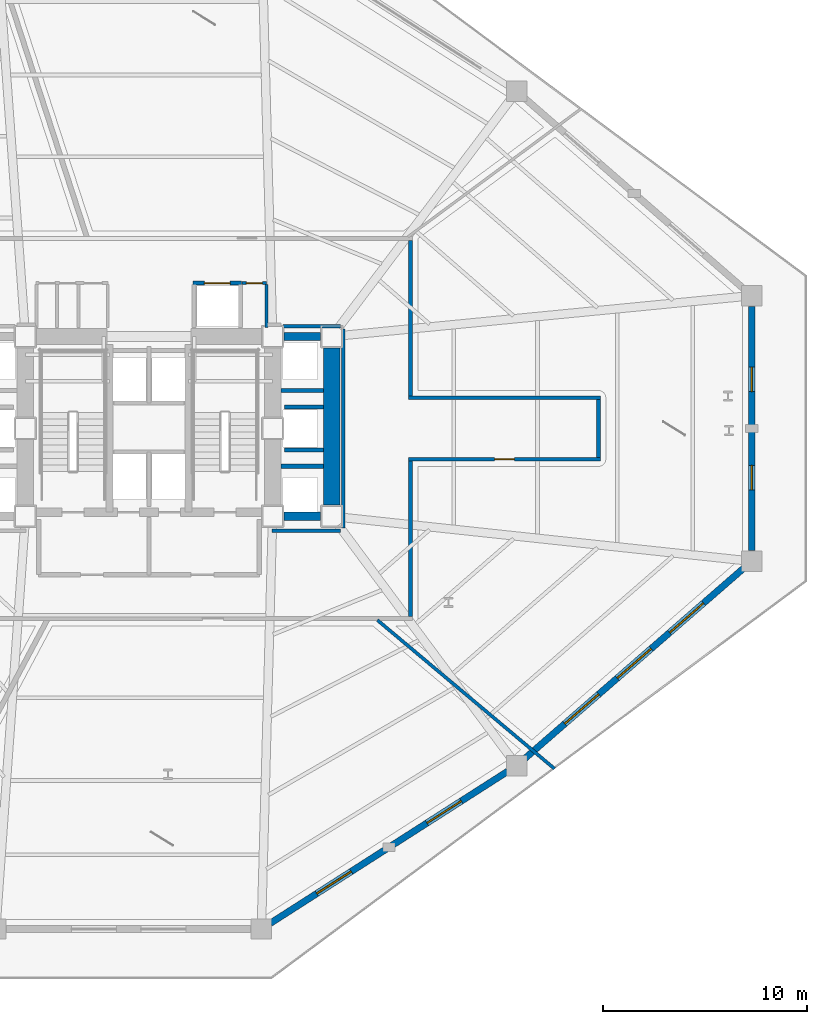
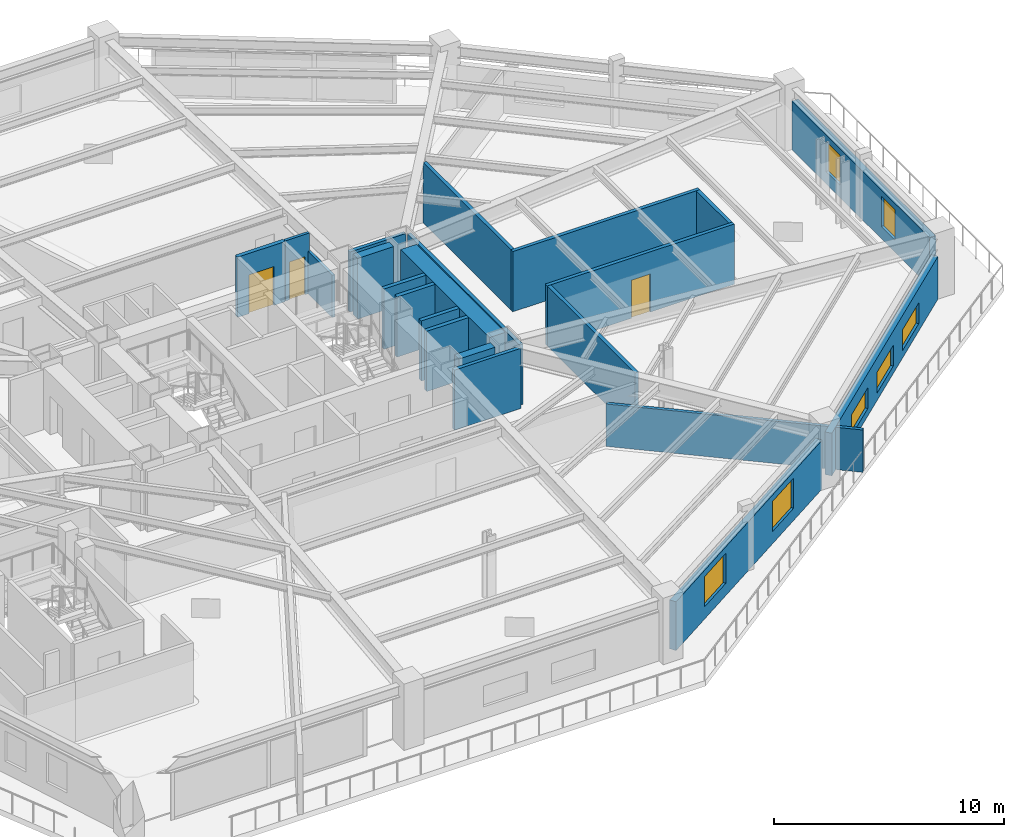
# One storey, part 7 of 12: 22 walls, 7 windows, 3 doors, 10 openings.
"""IFC4 building model written with IfcOpenShell, lengths in metres."""

from ifc_helpers import new_model, si_unit, direction, frame, frame_2d, origin, place, context, subcontext, project, spatial, rectangle, extrude, material, layer, layer_set, type_object, element, fill, save


model = new_model("IFC4")

# Units and contexts
model_context = context("Model", 3, precision=1e-05, world=origin(), true_north=direction((0.0, 1.0)))
body_context = subcontext(model_context, "Body", "Model", "MODEL_VIEW")
ifc_project = project(units=[si_unit("LENGTHUNIT", "METRE"), si_unit("AREAUNIT", "SQUARE_METRE"), si_unit("VOLUMEUNIT", "CUBIC_METRE"), si_unit("PLANEANGLEUNIT", "RADIAN"), si_unit("MASSUNIT", "GRAM", prefix="KILO")], contexts=[model_context])

# Site, building, storey
site_placement = place(None, origin())
site = spatial("IfcSite", under=ifc_project, at=site_placement, CompositionType="ELEMENT")
building_placement = place(site_placement, origin())
building = spatial("IfcBuilding", under=site, at=building_placement, Name="Rocaltana Carrier Exchange", CompositionType="ELEMENT")
storey_placement = place(building_placement, frame((0.0, 0.0, 8.320068359375)))
storey = spatial("IfcBuildingStorey", under=building, at=storey_placement, Name="L03", CompositionType="ELEMENT", Elevation=8.320068359375)

# Walls
ifc_material_1 = material(Name="Double Acoustic Gypsum Partition", Category="gypsum")
ifc_layer_1 = layer(ifc_material_1, 0.159912109375)
ifc_layer_set_1 = layer_set([ifc_layer_1], Name="Double Acoustic Gypsum Partition")
wall_type_1 = type_object("IfcWallType", Name="Acoustic Studio Partition 160 EI60", PredefinedType="PARTITIONING", material=ifc_layer_set_1)
wall_1_placement = place(storey_placement, frame((11.1787109375, -9.3798828125, 0.0), z_axis=(0.0, 0.0, 1.0), x_axis=(0.766037025887, -0.642796449095, 0.0)))
element("IfcWall", 1, at=wall_1_placement, inside=storey, type_object=wall_type_1, Name="L03 Suite Divider Wall D2", PredefinedType="PARTITIONING", context=body_context, shape_type="SweptSolid", body=[
    extrude(rectangle(XDim=11.319580078125, YDim=0.159912109375, at=frame_2d((5.65966796875, 0.0))), origin(), (0.0, 0.0, 1.0), 2.245849609375),
])
ifc_material_2 = material(Name="Concrete C50/60", Category="concrete")
ifc_layer_2 = layer(ifc_material_2, 0.39990234375)
ifc_layer_set_2 = layer_set([ifc_layer_2], Name="Concrete C50/60")
wall_type_2 = type_object("IfcWallType", Name="Core Internal Shear Wall 400", PredefinedType="SHEAR", material=ifc_layer_set_2)
for number, where, z_axis, x_axis, name in (
    (2, (6.60009765625, 4.5, 0.0), (0.0, 0.0, 1.0), (1.0, 0.0, 0.0), "L03 Core Shear Wall CW-EWN"),
    (3, (6.60009765625, -4.300048828125, 0.0), (0.0, 0.0, 1.0), (1.0, 0.0, 0.0), "L03 Core Shear Wall CW-EWS"),
):
    element("IfcWall", number, at=place(storey_placement, frame(where, z_axis=z_axis, x_axis=x_axis)), inside=storey, type_object=wall_type_2, Name=name, PredefinedType="SHEAR", context=body_context, shape_type="SweptSolid", body=[
        extrude(rectangle(XDim=1.7998046875, YDim=0.39990234375, at=frame_2d((0.89990234375, 0.0))), origin(), (0.0, 0.0, 1.0), 3.218017578125),
    ])
ifc_material_3 = material(Name="Concrete C60/75", Category="concrete")
ifc_layer_3 = layer(ifc_material_3, 0.800048828125)
ifc_layer_set_3 = layer_set([ifc_layer_3], Name="Concrete C60/75")
wall_type_3 = type_object("IfcWallType", Name="Core Shear Wall 800", PredefinedType="SHEAR", material=ifc_layer_set_3)
wall_2_placement = place(storey_placement, frame((8.949951171875, -3.75, 0.0), z_axis=(0.0, 0.0, 1.0), x_axis=(0.0, 1.0, 0.0)))
element("IfcWall", 4, at=wall_2_placement, inside=storey, type_object=wall_type_3, Name="L03 Core Shear Wall CW-EW", PredefinedType="SHEAR", context=body_context, shape_type="SweptSolid", body=[
    extrude(rectangle(XDim=7.699951171875, YDim=0.800048828125, at=frame_2d((3.85009765625, 0.0))), origin(), (0.0, 0.0, 1.0), 3.218017578125),
])
ifc_material_4 = material(Name="Gypsum & Steel Stud Partition", Category="steel")
ifc_layer_4 = layer(ifc_material_4, 0.179931640625)
ifc_layer_set_4 = layer_set([ifc_layer_4], Name="Gypsum & Steel Stud Partition")
wall_type_4 = type_object("IfcWallType", Name="Corridor Fire Partition 180 EI60", PredefinedType="PARTITIONING", material=ifc_layer_set_4)
wall_3_placement = place(storey_placement, frame((12.800048828125, 9.2099609375, 0.0), z_axis=(0.0, 0.0, 1.0), x_axis=(0.0, -1.0, 0.0)))
element("IfcWall", 5, at=wall_3_placement, inside=storey, type_object=wall_type_4, Name="L03 Corridor Partition 9", PredefinedType="PARTITIONING", context=body_context, shape_type="SweptSolid", body=[
    extrude(rectangle(XDim=7.619873046875, YDim=0.179931640625, at=frame_2d((3.81005859375, 0.0))), origin(), (0.0, 0.0, 1.0), 3.19287109375),
])
wall_4_placement = place(storey_placement, frame((12.7099609375, 1.5, 0.0), z_axis=(0.0, 0.0, 1.0), x_axis=(1.0, 0.0, 0.0)))
element("IfcWall", 6, at=wall_4_placement, inside=storey, type_object=wall_type_4, Name="L03 Corridor Partition 10", PredefinedType="PARTITIONING", context=body_context, shape_type="SweptSolid", body=[
    extrude(rectangle(XDim=9.380126953125, YDim=0.179931640625, at=frame_2d((4.68994140625, 0.0))), origin(), (0.0, 0.0, 1.0), 3.19287109375),
])
wall_5_placement = place(storey_placement, frame((22.0, 1.409912109375, 0.0), z_axis=(0.0, 0.0, 1.0), x_axis=(0.0, -1.0, 0.0)))
element("IfcWall", 7, at=wall_5_placement, inside=storey, type_object=wall_type_4, Name="L03 Corridor Partition 11", PredefinedType="PARTITIONING", context=body_context, shape_type="SweptSolid", body=[
    extrude(rectangle(XDim=2.81982421875, YDim=0.179931640625, at=frame_2d((1.409912109375, 0.0))), origin(), (0.0, 0.0, 1.0), 3.19287109375),
])

# Wall, opening, door
wall_6_placement = place(storey_placement, frame((22.090087890625, -1.5, 0.0), z_axis=(0.0, 0.0, 1.0), x_axis=(-1.0, 0.0, 0.0)))
wall_6 = element("IfcWall", 8, at=wall_6_placement, inside=storey, type_object=wall_type_4, Name="L03 Corridor Partition 12", PredefinedType="PARTITIONING", context=body_context, shape_type="SweptSolid", body=[
    extrude(rectangle(XDim=9.380126953125, YDim=0.179931640625, at=frame_2d((4.68994140625, 0.0))), origin(), (0.0, 0.0, 1.0), 3.19287109375),
])
opening_1_placement = place(wall_6_placement, frame((4.2099609375, 0.0, 0.0)))
opening_1 = element("IfcOpeningElement", 9, at=opening_1_placement, cuts=wall_6, Name="Opening D-RM098", PredefinedType="OPENING", context=body_context, shape_type="SweptSolid", body=[
    extrude(rectangle(XDim=0.9599609375, YDim=2.02001953125, at=frame_2d((0.47998046875, 1.010009765625))), frame((0.0, 0.099853515625, 0.0), z_axis=(0.0, -1.0, 0.0), x_axis=(1.0, 0.0, 0.0)), (0.0, 0.0, 1.0), 0.199951171875),
])
ifc_material_5 = material(Name="Engineered Hardwood Timber", Category="wood")
door_type_1 = type_object("IfcDoorType", Name="Workspace Single Door 960x2020", OperationType="NOTDEFINED", PredefinedType="DOOR", material=ifc_material_5)
door_1_placement = place(opening_1_placement, origin())
door_1 = element("IfcDoor", 10, at=door_1_placement, inside=storey, type_object=door_type_1, Name="L03 Network Engineering Studio Entrance Door", OperationType="SINGLE_SWING_LEFT", OverallHeight=2.02001953125, OverallWidth=0.9599609375, PredefinedType="DOOR", context=body_context, shape_type="SweptSolid", body=[
    extrude(rectangle(XDim=0.9599609375, YDim=2.02001953125, at=frame_2d((0.47998046875, 1.010009765625))), frame((0.0, 0.02490234375, 0.0), z_axis=(0.0, -1.0, 0.0), x_axis=(1.0, 0.0, 0.0)), (0.0, 0.0, 1.0), 0.050048828125),
])
fill(opening_1, door_1)

# Walls
wall_7_placement = place(storey_placement, frame((12.800048828125, -1.590087890625, 0.0), z_axis=(0.0, 0.0, 1.0), x_axis=(0.0, -1.0, 0.0)))
element("IfcWall", 11, at=wall_7_placement, inside=storey, type_object=wall_type_4, Name="L03 Corridor Partition 13", PredefinedType="PARTITIONING", context=body_context, shape_type="SweptSolid", body=[
    extrude(rectangle(XDim=7.619873046875, YDim=0.179931640625, at=frame_2d((3.81005859375, 0.0))), origin(), (0.0, 0.0, 1.0), 3.19287109375),
])
wall_8_placement = place(storey_placement, frame((6.030029296875, -5.010009765625, 0.0), z_axis=(0.0, 0.0, 1.0), x_axis=(1.0, 0.0, 0.0)))
element("IfcWall", 12, at=wall_8_placement, inside=storey, type_object=wall_type_4, Name="L03 Corridor Partition 26", PredefinedType="PARTITIONING", context=body_context, shape_type="SweptSolid", body=[
    extrude(rectangle(XDim=3.340087890625, YDim=0.179931640625, at=frame_2d((1.669921875, 0.0))), origin(), (0.0, 0.0, 1.0), 3.19287109375),
])
wall_9_placement = place(storey_placement, frame((9.510009765625, -4.8701171875, 0.0), z_axis=(0.0, 0.0, 1.0), x_axis=(0.0, 1.0, 0.0)))
element("IfcWall", 13, at=wall_9_placement, inside=storey, type_object=wall_type_4, Name="L03 Corridor Partition 27", PredefinedType="PARTITIONING", context=body_context, shape_type="SweptSolid", body=[
    extrude(rectangle(XDim=9.740234375, YDim=0.179931640625, at=frame_2d((4.8701171875, 0.0))), origin(), (0.0, 0.0, 1.0), 3.19287109375),
])
wall_10_placement = place(storey_placement, frame((9.3701171875, 5.010009765625, 0.0), z_axis=(0.0, 0.0, 1.0), x_axis=(-1.0, 0.0, 0.0)))
element("IfcWall", 14, at=wall_10_placement, inside=storey, type_object=wall_type_4, Name="L03 Corridor Partition 28", PredefinedType="PARTITIONING", context=body_context, shape_type="SweptSolid", body=[
    extrude(rectangle(XDim=2.807861328125, YDim=0.179931640625, at=frame_2d((1.40380859375, 0.0))), origin(), (0.0, 0.0, 1.0), 3.19287109375),
])

# Wall, opening, door
ifc_material_6 = material(Name="Reinforced Concrete Block C35/45", Category="concrete")
ifc_layer_5 = layer(ifc_material_6, 0.199951171875)
ifc_layer_set_5 = layer_set([ifc_layer_5], Name="Reinforced Concrete Block C35/45")
wall_type_5 = type_object("IfcWallType", Name="Lift Hoistway Enclosure Wall 200 EI120", PredefinedType="PARTITIONING", material=ifc_layer_set_5)
wall_11_placement = place(storey_placement, frame((2.14990234375, 7.1201171875, 0.0), z_axis=(0.0, 0.0, 1.0), x_axis=(1.0, 0.0, 0.0)))
wall_11 = element("IfcWall", 15, at=wall_11_placement, inside=storey, type_object=wall_type_5, Name="L03 Goods Lift Front Wall", PredefinedType="PARTITIONING", context=body_context, shape_type="SweptSolid", body=[
    extrude(rectangle(XDim=2.380126953125, YDim=0.199951171875, at=frame_2d((1.18994140625, 0.0))), origin(), (0.0, 0.0, 1.0), 3.19287109375),
])
opening_2_placement = place(wall_11_placement, frame((0.56005859375, 0.0, 0.0)))
opening_2 = element("IfcOpeningElement", 16, at=opening_2_placement, cuts=wall_11, Name="Opening LD-130", PredefinedType="OPENING", context=body_context, shape_type="SweptSolid", body=[
    extrude(rectangle(XDim=1.260009765625, YDim=2.06005859375, at=frame_2d((0.6298828125, 1.030029296875))), frame((0.0, 0.10986328125, 0.0), z_axis=(0.0, -1.0, 0.0), x_axis=(1.0, 0.0, 0.0)), (0.0, 0.0, 1.0), 0.219970703125),
])
ifc_material_7 = material(Name="Brushed Stainless Sliding Door Leaf", Category="steel")
door_type_2 = type_object("IfcDoorType", Name="Goods Lift Landing Sliding Door 1260x2060", OperationType="NOTDEFINED", PredefinedType="DOOR", material=ifc_material_7)
door_2_placement = place(opening_2_placement, origin())
door_2 = element("IfcDoor", 17, at=door_2_placement, inside=storey, type_object=door_type_2, Name="L03 Goods Lift GL-1 Landing Door", OperationType="SLIDING_TO_LEFT", OverallHeight=2.06005859375, OverallWidth=1.260009765625, PredefinedType="DOOR", context=body_context, shape_type="SweptSolid", body=[
    extrude(rectangle(XDim=1.260009765625, YDim=2.06005859375, at=frame_2d((0.6298828125, 1.030029296875))), frame((0.0, 0.02490234375, 0.0), z_axis=(0.0, -1.0, 0.0), x_axis=(1.0, 0.0, 0.0)), (0.0, 0.0, 1.0), 0.050048828125),
])
fill(opening_2, door_2)

# Walls
for number, where, z_axis, x_axis, name in (
    (18, (6.449951171875, -1.85009765625, 0.0), (0.0, 0.0, 1.0), (1.0, 0.0, 0.0), "L03 Mid-Rise Shaft Divider 1"),
    (19, (6.449951171875, 1.85009765625, 0.0), (0.0, 0.0, 1.0), (1.0, 0.0, 0.0), "L03 Mid-Rise Shaft Divider 2"),
):
    element("IfcWall", number, at=place(storey_placement, frame(where, z_axis=z_axis, x_axis=x_axis)), inside=storey, type_object=wall_type_5, Name=name, PredefinedType="PARTITIONING", context=body_context, shape_type="SweptSolid", body=[
        extrude(rectangle(XDim=2.10009765625, YDim=0.199951171875, at=frame_2d((1.050048828125, 0.0))), origin(), (0.0, 0.0, 1.0), 3.19287109375),
    ])
for number, where, z_axis, x_axis, name in (
    (20, (6.639892578125, -1.050048828125, 0.0), (0.0, 0.0, 1.0), (1.0, 0.0, 0.0), "L03 Mid-Rise Center Shaft Wall South"),
    (21, (6.639892578125, 1.050048828125, 0.0), (0.0, 0.0, 1.0), (1.0, 0.0, 0.0), "L03 Mid-Rise Center Shaft Wall North"),
):
    element("IfcWall", number, at=place(storey_placement, frame(where, z_axis=z_axis, x_axis=x_axis)), inside=storey, type_object=wall_type_5, Name=name, PredefinedType="PARTITIONING", context=body_context, shape_type="SweptSolid", body=[
        extrude(rectangle(XDim=1.91015625, YDim=0.199951171875, at=frame_2d((0.955078125, 0.0))), origin(), (0.0, 0.0, 1.0), 3.19287109375),
    ])

# Wall, openings, windows
ifc_material_8 = material(Name="Precast sandstone concrete C45/55", Category="masonry")
ifc_layer_6 = layer(ifc_material_8, 0.320068359375)
ifc_layer_set_6 = layer_set([ifc_layer_6], Name="Precast sandstone concrete C45/55")
wall_type_6 = type_object("IfcWallType", Name="Precast Sandstone Facade Wall 320", PredefinedType="SOLIDWALL", material=ifc_layer_set_6)
wall_12_placement = place(storey_placement, frame((17.56201171875, -16.7802734375, 0.0), z_axis=(0.0, 0.0, 1.0), x_axis=(-0.842268830443, -0.539057712368, 0.0)))
wall_12 = element("IfcWall", 22, at=wall_12_placement, inside=storey, type_object=wall_type_6, Name="L03 Sandstone Facade Wall B03", PredefinedType="SOLIDWALL", context=body_context, shape_type="SweptSolid", body=[
    extrude(rectangle(XDim=13.80078125, YDim=0.320068359375, at=frame_2d((6.900390625, 0.0))), origin(), (0.0, 0.0, 1.0), 2.587890625),
])
opening_3_placement = place(wall_12_placement, frame((2.700439453125, 0.0, 0.64990234375)))
opening_3 = element("IfcOpeningElement", 23, at=opening_3_placement, cuts=wall_12, Name="Opening W-01", PredefinedType="OPENING", context=body_context, shape_type="SweptSolid", body=[
    extrude(rectangle(XDim=2.0, YDim=1.60009765625, at=frame_2d((1.0, 0.800048828125))), frame((0.0, 0.169921875, 0.0), z_axis=(0.0, -1.0, 0.0), x_axis=(1.0, 0.0, 0.0)), (0.0, 0.0, 1.0), 0.340087890625),
])
opening_4_placement = place(wall_12_placement, frame((9.100341796875, 0.0, 0.64990234375)))
opening_4 = element("IfcOpeningElement", 24, at=opening_4_placement, cuts=wall_12, Name="Opening W-01", PredefinedType="OPENING", context=body_context, shape_type="SweptSolid", body=[
    extrude(rectangle(XDim=2.0, YDim=1.60009765625, at=frame_2d((1.0, 0.800048828125))), frame((0.0, 0.169921875, 0.0), z_axis=(0.0, -1.0, 0.0), x_axis=(1.0, 0.0, 0.0)), (0.0, 0.0, 1.0), 0.340087890625),
])
ifc_material_9 = material(Name="Aluminium 6063-T6 & Double Glazing", Category="aluminium")
window_type_1 = type_object("IfcWindowType", Name="Concourse Gallery Window 2000x1600", PartitioningType="SINGLE_PANEL", PredefinedType="WINDOW", material=ifc_material_9)
window_1_placement = place(opening_3_placement, origin())
window_1 = element("IfcWindow", 25, at=window_1_placement, inside=storey, type_object=window_type_1, Name="L03 Punched Window B03-1", OverallHeight=1.60009765625, OverallWidth=2.0, PartitioningType="SINGLE_PANEL", PredefinedType="WINDOW", context=body_context, shape_type="SweptSolid", body=[
    extrude(rectangle(XDim=2.0, YDim=1.60009765625, at=frame_2d((1.0, 0.800048828125))), frame((0.0, 0.030029296875, 0.0), z_axis=(0.0, -1.0, 0.0), x_axis=(1.0, 0.0, 0.0)), (0.0, 0.0, 1.0), 0.06005859375),
])
fill(opening_3, window_1)
window_2_placement = place(opening_4_placement, origin())
window_2 = element("IfcWindow", 26, at=window_2_placement, inside=storey, type_object=window_type_1, Name="L03 Punched Window B03-3", OverallHeight=1.60009765625, OverallWidth=2.0, PartitioningType="SINGLE_PANEL", PredefinedType="WINDOW", context=body_context, shape_type="SweptSolid", body=[
    extrude(rectangle(XDim=2.0, YDim=1.60009765625, at=frame_2d((1.0, 0.800048828125))), frame((0.0, 0.030029296875, 0.0), z_axis=(0.0, -1.0, 0.0), x_axis=(1.0, 0.0, 0.0)), (0.0, 0.0, 1.0), 0.06005859375),
])
fill(opening_4, window_2)

wall_13_placement = place(storey_placement, frame((29.107666015625, -6.84130859375, 0.0), z_axis=(0.0, 0.0, 1.0), x_axis=(-0.754615886195, -0.656166796098, 0.0)))
wall_13 = element("IfcWall", 27, at=wall_13_placement, inside=storey, type_object=wall_type_6, Name="L03 Sandstone Facade Wall B04", PredefinedType="SOLIDWALL", context=body_context, shape_type="SweptSolid", body=[
    extrude(rectangle(XDim=14.19970703125, YDim=0.320068359375, at=frame_2d((7.099853515625, 0.0))), origin(), (0.0, 0.0, 1.0), 2.260986328125),
])
opening_5_placement = place(wall_13_placement, frame((2.599853515625, 0.0, 0.39990234375)))
opening_5 = element("IfcOpeningElement", 28, at=opening_5_placement, cuts=wall_13, Name="Opening W-04", PredefinedType="OPENING", context=body_context, shape_type="SweptSolid", body=[
    extrude(rectangle(XDim=2.199951171875, YDim=1.10009765625, at=frame_2d((1.10009765625, 0.550048828125))), frame((0.0, 0.169921875, 0.0), z_axis=(0.0, -1.0, 0.0), x_axis=(1.0, 0.0, 0.0)), (0.0, 0.0, 1.0), 0.340087890625),
])
opening_6_placement = place(wall_13_placement, frame((6.0, 0.0, 0.39990234375)))
opening_6 = element("IfcOpeningElement", 29, at=opening_6_placement, cuts=wall_13, Name="Opening W-04", PredefinedType="OPENING", context=body_context, shape_type="SweptSolid", body=[
    extrude(rectangle(XDim=2.199951171875, YDim=1.10009765625, at=frame_2d((1.10009765625, 0.550048828125))), frame((0.0, 0.169921875, 0.0), z_axis=(0.0, -1.0, 0.0), x_axis=(1.0, 0.0, 0.0)), (0.0, 0.0, 1.0), 0.340087890625),
])
opening_7_placement = place(wall_13_placement, frame((9.39990234375, 0.0, 0.39990234375)))
opening_7 = element("IfcOpeningElement", 30, at=opening_7_placement, cuts=wall_13, Name="Opening W-04", PredefinedType="OPENING", context=body_context, shape_type="SweptSolid", body=[
    extrude(rectangle(XDim=2.199951171875, YDim=1.10009765625, at=frame_2d((1.10009765625, 0.550048828125))), frame((0.0, 0.169921875, 0.0), z_axis=(0.0, -1.0, 0.0), x_axis=(1.0, 0.0, 0.0)), (0.0, 0.0, 1.0), 0.340087890625),
])
ifc_material_10 = material(Name="Aluminium 6063-T6 & Double Glazing", Category="aluminium")
window_type_2 = type_object("IfcWindowType", Name="Podium Clerestory Window 2200x1100", PartitioningType="SINGLE_PANEL", PredefinedType="WINDOW", material=ifc_material_10)
window_3_placement = place(opening_5_placement, origin())
window_3 = element("IfcWindow", 31, at=window_3_placement, inside=storey, type_object=window_type_2, Name="L03 Punched Window B04-1", OverallHeight=1.10009765625, OverallWidth=2.199951171875, PartitioningType="SINGLE_PANEL", PredefinedType="WINDOW", context=body_context, shape_type="SweptSolid", body=[
    extrude(rectangle(XDim=2.199951171875, YDim=1.10009765625, at=frame_2d((1.10009765625, 0.550048828125))), frame((0.0, 0.030029296875, 0.0), z_axis=(0.0, -1.0, 0.0), x_axis=(1.0, 0.0, 0.0)), (0.0, 0.0, 1.0), 0.06005859375),
])
fill(opening_5, window_3)
window_4_placement = place(opening_6_placement, origin())
window_4 = element("IfcWindow", 32, at=window_4_placement, inside=storey, type_object=window_type_2, Name="L03 Punched Window B04-2", OverallHeight=1.10009765625, OverallWidth=2.199951171875, PartitioningType="SINGLE_PANEL", PredefinedType="WINDOW", context=body_context, shape_type="SweptSolid", body=[
    extrude(rectangle(XDim=2.199951171875, YDim=1.10009765625, at=frame_2d((1.10009765625, 0.550048828125))), frame((0.0, 0.030029296875, 0.0), z_axis=(0.0, -1.0, 0.0), x_axis=(1.0, 0.0, 0.0)), (0.0, 0.0, 1.0), 0.06005859375),
])
fill(opening_6, window_4)
window_5_placement = place(opening_7_placement, origin())
window_5 = element("IfcWindow", 33, at=window_5_placement, inside=storey, type_object=window_type_2, Name="L03 Punched Window B04-3", OverallHeight=1.10009765625, OverallWidth=2.199951171875, PartitioningType="SINGLE_PANEL", PredefinedType="WINDOW", context=body_context, shape_type="SweptSolid", body=[
    extrude(rectangle(XDim=2.199951171875, YDim=1.10009765625, at=frame_2d((1.10009765625, 0.550048828125))), frame((0.0, 0.030029296875, 0.0), z_axis=(0.0, -1.0, 0.0), x_axis=(1.0, 0.0, 0.0)), (0.0, 0.0, 1.0), 0.06005859375),
])
fill(opening_7, window_5)

wall_14_placement = place(storey_placement, frame((29.5, 5.97998046875, 0.0), z_axis=(0.0, 0.0, 1.0), x_axis=(0.0, -1.0, 0.0)))
wall_14 = element("IfcWall", 34, at=wall_14_placement, inside=storey, type_object=wall_type_6, Name="L03 Sandstone Facade Wall B05", PredefinedType="SOLIDWALL", context=body_context, shape_type="SweptSolid", body=[
    extrude(rectangle(XDim=11.9599609375, YDim=0.320068359375, at=frame_2d((5.97998046875, 0.0))), origin(), (0.0, 0.0, 1.0), 2.587890625),
])
opening_8_placement = place(wall_14_placement, frame((2.97998046875, 0.0, 0.64990234375)))
opening_8 = element("IfcOpeningElement", 35, at=opening_8_placement, cuts=wall_14, Name="Opening W-03", PredefinedType="OPENING", context=body_context, shape_type="SweptSolid", body=[
    extrude(rectangle(XDim=1.199951171875, YDim=1.60009765625, at=frame_2d((0.60009765625, 0.800048828125))), frame((0.0, 0.169921875, 0.0), z_axis=(0.0, -1.0, 0.0), x_axis=(1.0, 0.0, 0.0)), (0.0, 0.0, 1.0), 0.340087890625),
])
opening_9_placement = place(wall_14_placement, frame((7.780029296875, 0.0, 0.64990234375)))
opening_9 = element("IfcOpeningElement", 36, at=opening_9_placement, cuts=wall_14, Name="Opening W-03", PredefinedType="OPENING", context=body_context, shape_type="SweptSolid", body=[
    extrude(rectangle(XDim=1.199951171875, YDim=1.60009765625, at=frame_2d((0.60009765625, 0.800048828125))), frame((0.0, 0.169921875, 0.0), z_axis=(0.0, -1.0, 0.0), x_axis=(1.0, 0.0, 0.0)), (0.0, 0.0, 1.0), 0.340087890625),
])
ifc_material_11 = material(Name="Aluminium 6063-T6 & Double Glazing", Category="aluminium")
window_type_3 = type_object("IfcWindowType", Name="Podium Narrow Slot Window 1200x1600", PartitioningType="SINGLE_PANEL", PredefinedType="WINDOW", material=ifc_material_11)
window_6_placement = place(opening_8_placement, origin())
window_6 = element("IfcWindow", 37, at=window_6_placement, inside=storey, type_object=window_type_3, Name="L03 Punched Window B05-1", OverallHeight=1.60009765625, OverallWidth=1.199951171875, PartitioningType="SINGLE_PANEL", PredefinedType="WINDOW", context=body_context, shape_type="SweptSolid", body=[
    extrude(rectangle(XDim=1.199951171875, YDim=1.60009765625, at=frame_2d((0.60009765625, 0.800048828125))), frame((0.0, 0.030029296875, 0.0), z_axis=(0.0, -1.0, 0.0), x_axis=(1.0, 0.0, 0.0)), (0.0, 0.0, 1.0), 0.06005859375),
])
fill(opening_8, window_6)
window_7_placement = place(opening_9_placement, origin())
window_7 = element("IfcWindow", 38, at=window_7_placement, inside=storey, type_object=window_type_3, Name="L03 Punched Window B05-3", OverallHeight=1.60009765625, OverallWidth=1.199951171875, PartitioningType="SINGLE_PANEL", PredefinedType="WINDOW", context=body_context, shape_type="SweptSolid", body=[
    extrude(rectangle(XDim=1.199951171875, YDim=1.60009765625, at=frame_2d((0.60009765625, 0.800048828125))), frame((0.0, 0.030029296875, 0.0), z_axis=(0.0, -1.0, 0.0), x_axis=(1.0, 0.0, 0.0)), (0.0, 0.0, 1.0), 0.06005859375),
])
fill(opening_9, window_7)

# Wall
ifc_material_12 = material(Name="Moisture-Resistant Masonry C30/37", Category="masonry")
ifc_layer_7 = layer(ifc_material_12, 0.139892578125)
ifc_layer_set_7 = layer_set([ifc_layer_7], Name="Moisture-Resistant Masonry C30/37")
wall_type_7 = type_object("IfcWallType", Name="Wet-Area Sanitary Partition 140", PredefinedType="PARTITIONING", material=ifc_layer_set_7)
wall_15_placement = place(storey_placement, frame((5.760009765625, 4.949951171875, 0.0), z_axis=(0.0, 0.0, 1.0), x_axis=(0.0, 1.0, 0.0)))
element("IfcWall", 39, at=wall_15_placement, inside=storey, type_object=wall_type_7, Name="L03 Riser East Wall", PredefinedType="PARTITIONING", context=body_context, shape_type="SweptSolid", body=[
    extrude(rectangle(XDim=2.10009765625, YDim=0.139892578125, at=frame_2d((1.050048828125, 0.0))), origin(), (0.0, 0.0, 1.0), 2.245849609375),
])

# Wall, opening, door
wall_16_placement = place(storey_placement, frame((4.56005859375, 7.1201171875, 0.0), z_axis=(0.0, 0.0, 1.0), x_axis=(1.0, 0.0, 0.0)))
wall_16 = element("IfcWall", 40, at=wall_16_placement, inside=storey, type_object=wall_type_7, Name="L03 Riser North Wall", PredefinedType="PARTITIONING", context=body_context, shape_type="SweptSolid", body=[
    extrude(rectangle(XDim=1.199951171875, YDim=0.139892578125, at=frame_2d((0.60009765625, 0.0))), origin(), (0.0, 0.0, 1.0), 3.19287109375),
])
opening_10_placement = place(wall_16_placement, frame((0.2099609375, 0.0, 0.0)))
opening_10 = element("IfcOpeningElement", 41, at=opening_10_placement, cuts=wall_16, Name="Opening D-RS082", PredefinedType="OPENING", context=body_context, shape_type="SweptSolid", body=[
    extrude(rectangle(XDim=0.780029296875, YDim=2.010009765625, at=frame_2d((0.39013671875, 1.0048828125))), frame((0.0, 0.079833984375, 0.0), z_axis=(0.0, -1.0, 0.0), x_axis=(1.0, 0.0, 0.0)), (0.0, 0.0, 1.0), 0.159912109375),
])
ifc_material_13 = material(Name="Hollow Metal Access Door Leaf", Category="steel")
door_type_3 = type_object("IfcDoorType", Name="Riser & Service Closet Door 780x2010", OperationType="NOTDEFINED", PredefinedType="DOOR", material=ifc_material_13)
door_3_placement = place(opening_10_placement, origin())
door_3 = element("IfcDoor", 42, at=door_3_placement, inside=storey, type_object=door_type_3, Name="L03 Signal Riser Closet Door", OperationType="SINGLE_SWING_LEFT", OverallHeight=2.010009765625, OverallWidth=0.780029296875, PredefinedType="DOOR", context=body_context, shape_type="SweptSolid", body=[
    extrude(rectangle(XDim=0.780029296875, YDim=2.010009765625, at=frame_2d((0.39013671875, 1.0048828125))), frame((0.0, 0.02490234375, 0.0), z_axis=(0.0, -1.0, 0.0), x_axis=(1.0, 0.0, 0.0)), (0.0, 0.0, 1.0), 0.050048828125),
])
fill(opening_10, door_3)

save(model, "model.ifc")
